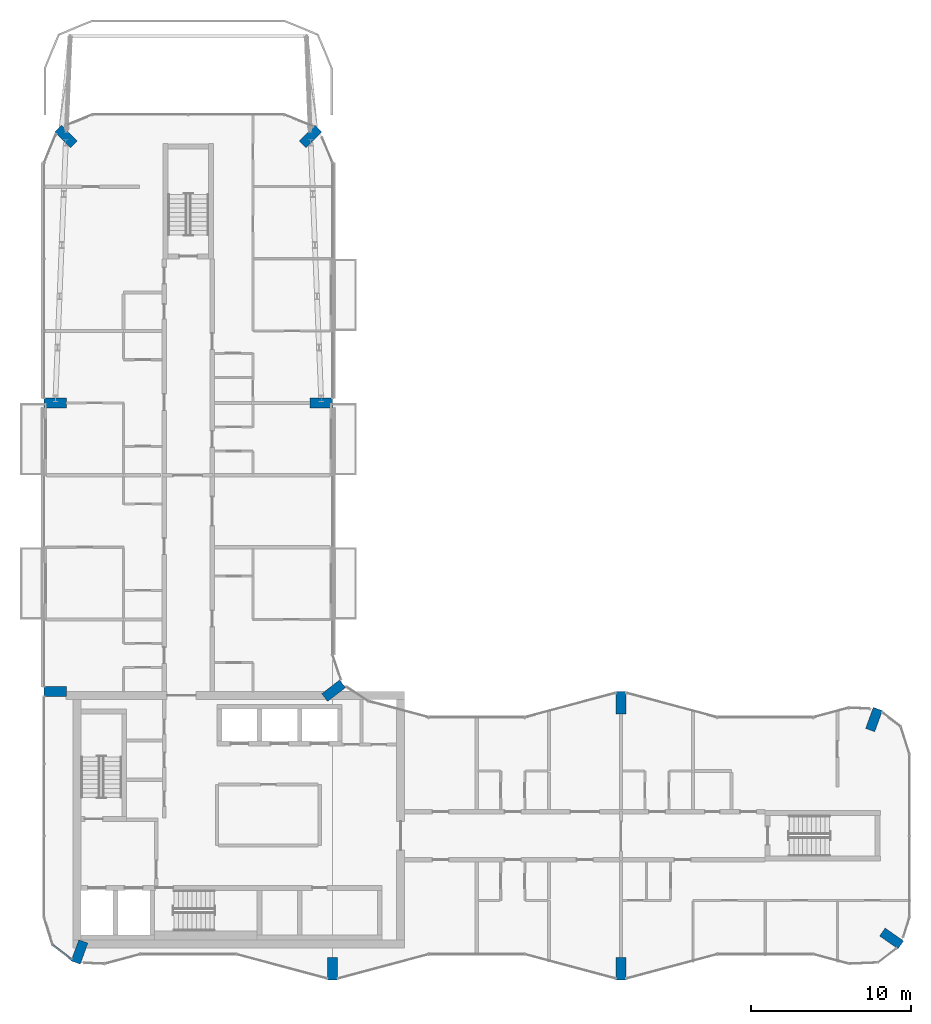
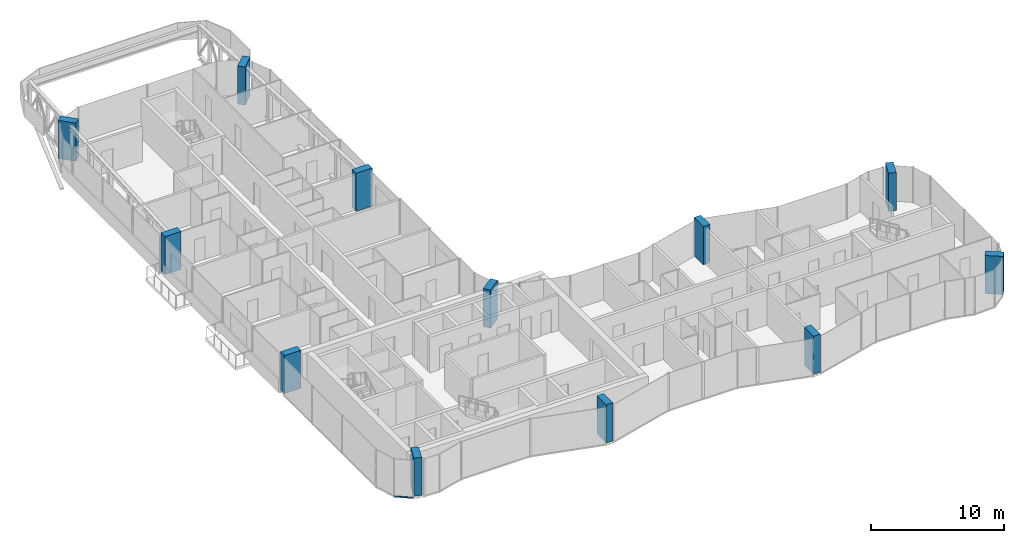
# One storey, part 1 of 17: 12 columns, 1 member, 1 element without a shape of its own.
"""IFC4 building model written with IfcOpenShell, lengths in metres."""

from ifc_helpers import new_model, si_unit, direction, frame, origin, origin_2d, place, context, subcontext, project, spatial, rectangle, extrude, material, layer, layer_set, material_profile, profile_set, type_object, element, aggregate, save


model = new_model("IFC4")

# Units and contexts
model_context = context("Model", 3, precision=1e-05, world=origin(), true_north=direction((0.0, 1.0)))
body_context = subcontext(model_context, "Body", "Model", "MODEL_VIEW")
ifc_project = project(units=[si_unit("LENGTHUNIT", "METRE"), si_unit("AREAUNIT", "SQUARE_METRE"), si_unit("VOLUMEUNIT", "CUBIC_METRE"), si_unit("PLANEANGLEUNIT", "RADIAN"), si_unit("MASSUNIT", "GRAM", prefix="KILO")], contexts=[model_context])

# Site, building, storey
site_placement = place(None, origin())
site = spatial("IfcSite", under=ifc_project, at=site_placement, CompositionType="ELEMENT")
building_placement = place(site_placement, origin())
building = spatial("IfcBuilding", under=site, at=building_placement, Name="Plateau Cross Towers", CompositionType="ELEMENT")
storey_placement = place(building_placement, frame((0.0, 0.0, 222.39990234375)))
storey = spatial("IfcBuildingStorey", under=building, at=storey_placement, Name="L58", CompositionType="ELEMENT", Elevation=222.39990234375)

# Columns
ifc_material_1 = material(Name="Concrete C60/75", Category="concrete")
ifc_material_profile_1 = material_profile(ifc_material_1, rectangle(XDim=0.60009765625, YDim=1.39990234375, at=origin_2d()), Name="RC 600x1400")
ifc_profile_set_1 = profile_set([ifc_material_profile_1], Name="Concrete C60/75")
column_type = type_object("IfcColumnType", Name="Fin pier column RC 600x1400", PredefinedType="COLUMN", material=ifc_profile_set_1)
for number, where, z_axis, x_axis, name in (
    (1, (18.0, 0.699951171875, 0.0), (0.0, 0.0, 1.0), (1.0, 0.0, 0.0), "PR1 L58"),
    (2, (36.0, 0.699951171875, 0.0), (0.0, 0.0, 1.0), (1.0, 0.0, 0.0), "PR2 L58"),
    (3, (52.884033203125, 2.590087890625, 0.0), (0.0, 0.0, 1.0), (0.573542637991, 0.819175709117, 0.0), "PR3 L58"),
    (4, (51.786865234375, 16.251953125, 0.0), (0.0, 0.0, 1.0), (-0.939664280925, 0.342097996418, 0.0), "PR4 L58"),
    (5, (36.0, 17.300048828125, 0.0), (0.0, 0.0, 1.0), (1.0, 0.0, 0.0), "PR5 L58"),
    (6, (18.064697265625, 18.049560546875, 0.0), (0.0, 0.0, 1.0), (-0.608810846443, 0.793315418515, 0.0), "PR6 L58"),
    (7, (17.300048828125, 36.0, 0.0), (0.0, 0.0, 1.0), (0.0, 1.0, 0.0), "PR7 L58"),
    (8, (16.62646484375, 52.62646484375, 0.0), (0.0, 0.0, 1.0), (-0.707106781187, 0.707106781187, 0.0), "PR8 L58"),
    (9, (1.37353515625, 52.62646484375, 0.0), (0.0, 0.0, 1.0), (0.707106781187, 0.707106781187, 0.0), "PR9 L58"),
    (10, (0.699951171875, 36.0, 0.0), (0.0, 0.0, 1.0), (0.0, 1.0, 0.0), "PR10 L58"),
    (11, (0.699951171875, 18.0, 0.0), (0.0, 0.0, 1.0), (0.0, 1.0, 0.0), "PR11 L58"),
    (12, (2.213134765625, 1.748046875, 0.0), (0.0, 0.0, 1.0), (-0.939664280925, 0.342097996418, 0.0), "PR12 L58"),
):
    element("IfcColumn", number, at=place(storey_placement, frame(where, z_axis=z_axis, x_axis=x_axis)), inside=storey, type_object=column_type, Name=name, PredefinedType="COLUMN", context=body_context, shape_type="SweptSolid", body=[
        extrude(rectangle(XDim=0.60009765625, YDim=1.39990234375, at=origin_2d()), origin(), (0.0, 0.0, 1.0), 3.5),
    ])

# Curtain wall, member
ifc_material_2 = material(Name="Dark low-iron glass", Category="glass")
ifc_layer = layer(ifc_material_2, 0.239990234375)
ifc_layer_set = layer_set([ifc_layer], Name="Dark low-iron glass")
curtain_wall_type = type_object("IfcCurtainWallType", Name="Curtain wall flush unitised CW-B", PredefinedType="NOTDEFINED", material=ifc_layer_set)
curtain_wall_placement = place(storey_placement, origin())
curtain_wall = element("IfcCurtainWall", 13, at=curtain_wall_placement, inside=storey, type_object=curtain_wall_type, Name="ENV/A/L58/A5_22", PredefinedType="NOTDEFINED")
ifc_material_3 = material(Name="Black anodised aluminium", Category="aluminium")
ifc_material_profile_2 = material_profile(ifc_material_3, rectangle(XDim=0.10009765625, YDim=0.1201171875, at=origin_2d()), Name="TRANSOM 100x120")
ifc_profile_set_2 = profile_set([ifc_material_profile_2], Name="Black anodised aluminium")
member_type = type_object("IfcMemberType", Name="Transom 100x120 flush unitised", PredefinedType="USERDEFINED", material=ifc_profile_set_2)
member_placement = place(storey_placement, frame((0.54248046875, 2.1884765625, -0.18994140625), z_axis=(0.793320508571, -0.608804213751, 0.0), x_axis=(0.608804213751, 0.793320508571, 0.0)))
member = element("IfcMember", 14, at=member_placement, type_object=member_type, Name="CW-B transom", ObjectType="TRANSOM", PredefinedType="USERDEFINED", context=body_context, shape_type="SweptSolid", body=[
    extrude(rectangle(XDim=0.10009765625, YDim=0.1201171875, at=origin_2d()), origin(), (0.0, 0.0, 1.0), 1.471435546875),
])
aggregate(curtain_wall, [member])

save(model, "model.ifc")
